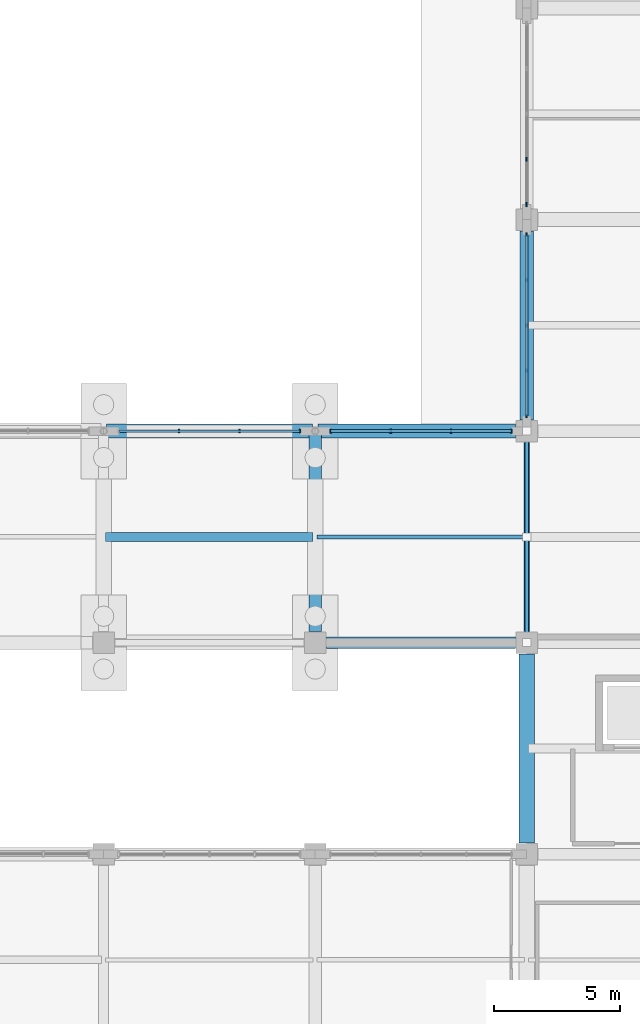
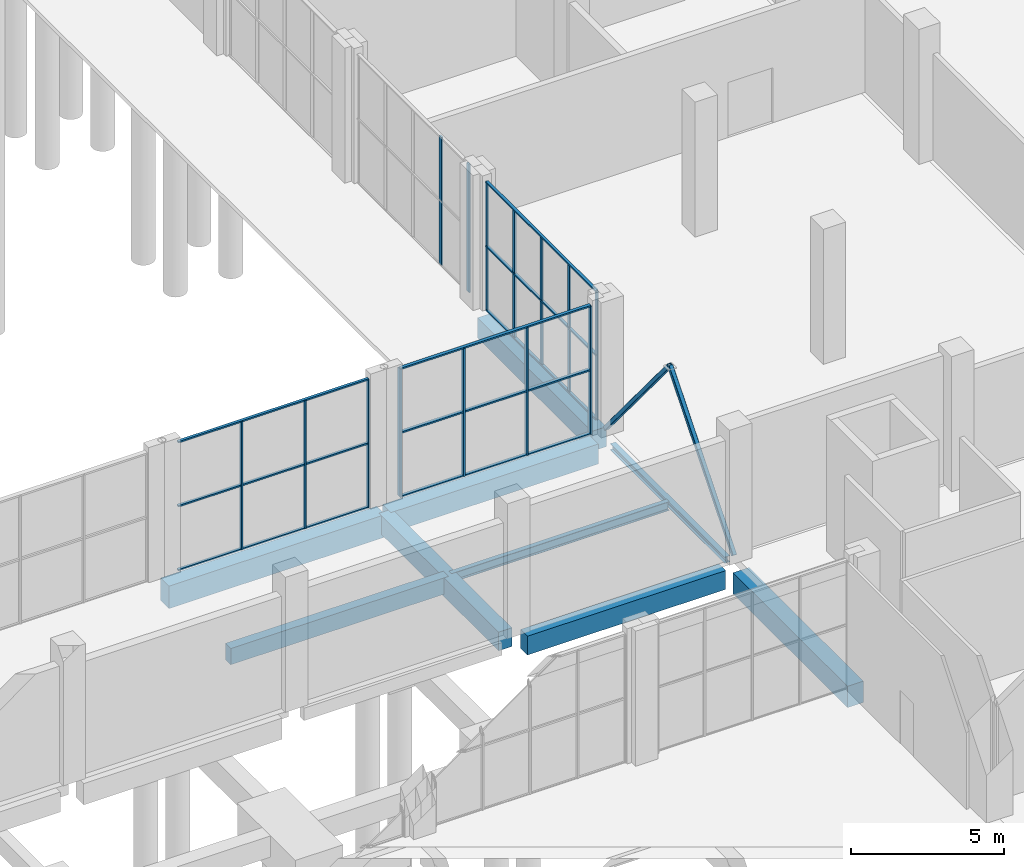
# One storey, part 37 of 82: 25 members, 9 beams, 4 elements without a shape of their own.
"""IFC4 building model written with IfcOpenShell, lengths in metres."""

from ifc_helpers import new_model, si_unit, derived_unit, direction, frame, origin, origin_2d, place, context, subcontext, project, spatial, rectangle, hollow_rectangle, i_section, extrude, material, material_profile, profile_set, type_object, element, aggregate, save


model = new_model("IFC4")

# Units and contexts
model_context = context("Model", 3, precision=1e-05, world=origin(), true_north=direction((0.0, 1.0)))
body_context = subcontext(model_context, "Body", "Model", "MODEL_VIEW")
ifc_project = project(units=[si_unit("LENGTHUNIT", "METRE"), si_unit("AREAUNIT", "SQUARE_METRE"), si_unit("VOLUMEUNIT", "CUBIC_METRE"), si_unit("PLANEANGLEUNIT", "RADIAN"), si_unit("MASSUNIT", "GRAM", prefix="KILO"), derived_unit("THERMALTRANSMITTANCEUNIT", [(si_unit("POWERUNIT", "WATT"), 1), (si_unit("LENGTHUNIT", "METRE"), -2), (si_unit("THERMODYNAMICTEMPERATUREUNIT", "KELVIN"), -1)])], contexts=[model_context])

# Site, building, storey
site_placement = place(None, origin())
site = spatial("IfcSite", under=ifc_project, at=site_placement, CompositionType="ELEMENT")
building_placement = place(site_placement, origin())
building = spatial("IfcBuilding", under=site, at=building_placement, Name="Barrovel Congress Hotel", CompositionType="ELEMENT")
storey_placement = place(building_placement, origin())
storey = spatial("IfcBuildingStorey", under=building, at=storey_placement, Name="L00", CompositionType="ELEMENT", Elevation=0.0)

# Beams
ifc_material_1 = material(Name="Concrete C40", Category="concrete")
ifc_material_profile_1 = material_profile(ifc_material_1, rectangle(XDim=0.35009765625, YDim=0.64990234375, at=origin_2d()), Name="RC350x650")
ifc_profile_set_1 = profile_set([ifc_material_profile_1], Name="Concrete C40")
beam_type_1 = type_object("IfcBeamType", Name="BM-RC350x650", PredefinedType="JOIST", material=ifc_profile_set_1)
beam_1_placement = place(storey_placement, frame((109.280029296875, 42.0, -0.64501953125), z_axis=(1.0, 0.0, 0.0), x_axis=(0.0, 1.0, 0.0)))
element("IfcBeam", 1, at=beam_1_placement, inside=storey, type_object=beam_type_1, Name="JST:L00:109.2:42.0", PredefinedType="JOIST", context=body_context, shape_type="SweptSolid", body=[
    extrude(rectangle(XDim=0.35009765625, YDim=0.64990234375, at=origin_2d()), origin(), (0.0, 0.0, 1.0), 8.239990234375),
])
ifc_material_profile_2 = material_profile(ifc_material_1, rectangle(XDim=0.449951171875, YDim=0.75, at=origin_2d()), Name="RC450x750")
ifc_profile_set_2 = profile_set([ifc_material_profile_2], Name="Concrete C40")
beam_type_2 = type_object("IfcBeamType", Name="BM-RC450x750", PredefinedType="BEAM", material=ifc_profile_set_2)
beam_2_placement = place(storey_placement, frame((118.050048828125, 37.800048828125, -0.695068359375), z_axis=(1.0, 0.0, 0.0), x_axis=(0.0, 1.0, 0.0)))
element("IfcBeam", 2, at=beam_2_placement, inside=storey, type_object=beam_type_2, Name="BMX:L00:37.8:117.6-126.0", PredefinedType="BEAM", context=body_context, shape_type="SweptSolid", body=[
    extrude(rectangle(XDim=0.449951171875, YDim=0.75, at=origin_2d()), origin(), (0.0, 0.0, 1.0), 7.5),
])
ifc_material_profile_3 = material_profile(ifc_material_1, rectangle(XDim=0.5, YDim=0.75, at=origin_2d()), Name="RC500x750")
ifc_profile_set_3 = profile_set([ifc_material_profile_3], Name="Concrete C40")
beam_type_3 = type_object("IfcBeamType", Name="BM-RC500x750", PredefinedType="BEAM", material=ifc_profile_set_3)
beam_3_placement = place(storey_placement, frame((117.60009765625, 38.25, -0.695068359375), z_axis=(0.0, 1.0, 0.0), x_axis=(-1.0, 0.0, 0.0)))
element("IfcBeam", 3, at=beam_3_placement, inside=storey, type_object=beam_type_3, Name="BMY:L00:117.6:37.8-46.2", PredefinedType="BEAM", context=body_context, shape_type="SweptSolid", body=[
    extrude(rectangle(XDim=0.5, YDim=0.75, at=origin_2d()), origin(), (0.0, 0.0, 1.0), 7.840576171875),
])
ifc_material_profile_4 = material_profile(ifc_material_1, rectangle(XDim=0.550048828125, YDim=0.800048828125, at=origin_2d()), Name="RC550x800")
ifc_profile_set_4 = profile_set([ifc_material_profile_4], Name="Concrete C40")
beam_type_4 = type_object("IfcBeamType", Name="BM-RC550x800", PredefinedType="BEAM", material=ifc_profile_set_4)
beam_4_placement = place(storey_placement, frame((117.70947265625, 46.199951171875, -0.719970703125), z_axis=(1.0, 0.0, 0.0), x_axis=(0.0, 1.0, 0.0)))
element("IfcBeam", 4, at=beam_4_placement, inside=storey, type_object=beam_type_4, Name="BMX:L00:46.2:117.6-126.0", PredefinedType="BEAM", context=body_context, shape_type="SweptSolid", body=[
    extrude(rectangle(XDim=0.550048828125, YDim=0.800048828125, at=origin_2d()), origin(), (0.0, 0.0, 1.0), 7.840576171875),
])
beam_5_placement = place(storey_placement, frame((126.0, 46.64990234375, -0.719970703125), z_axis=(0.0, 1.0, 0.0), x_axis=(-1.0, 0.0, 0.0)))
element("IfcBeam", 5, at=beam_5_placement, inside=storey, type_object=beam_type_4, Name="BMY:L00:126.0:46.2-54.6", PredefinedType="BEAM", context=body_context, shape_type="SweptSolid", body=[
    extrude(rectangle(XDim=0.550048828125, YDim=0.800048828125, at=origin_2d()), origin(), (0.0, 0.0, 1.0), 7.5),
])
ifc_material_profile_5 = material_profile(ifc_material_1, rectangle(XDim=0.550048828125, YDim=0.89990234375, at=origin_2d()), Name="RC550x900")
ifc_profile_set_5 = profile_set([ifc_material_profile_5], Name="Concrete C40")
beam_type_5 = type_object("IfcBeamType", Name="BM-RC550x900", PredefinedType="BEAM", material=ifc_profile_set_5)
beam_6_placement = place(storey_placement, frame((109.3095703125, 46.199951171875, -0.77001953125), z_axis=(1.0, 0.0, 0.0), x_axis=(0.0, 1.0, 0.0)))
element("IfcBeam", 6, at=beam_6_placement, inside=storey, type_object=beam_type_5, Name="BMX:L00:46.2:109.2-117.6", PredefinedType="BEAM", context=body_context, shape_type="SweptSolid", body=[
    extrude(rectangle(XDim=0.550048828125, YDim=0.89990234375, at=origin_2d()), origin(), (0.0, 0.0, 1.0), 8.180908203125),
])
ifc_material_profile_6 = material_profile(ifc_material_1, rectangle(XDim=0.60009765625, YDim=0.85009765625, at=origin_2d()), Name="RC600x850")
ifc_profile_set_6 = profile_set([ifc_material_profile_6], Name="Concrete C40")
beam_type_6 = type_object("IfcBeamType", Name="BM-RC600x850", PredefinedType="BEAM", material=ifc_profile_set_6)
beam_7_placement = place(storey_placement, frame((126.0, 29.85009765625, -0.7451171875), z_axis=(0.0, 1.0, 0.0), x_axis=(-1.0, 0.0, 0.0)))
element("IfcBeam", 7, at=beam_7_placement, inside=storey, type_object=beam_type_6, Name="BMY:L00:126.0:29.4-37.8", PredefinedType="BEAM", context=body_context, shape_type="SweptSolid", body=[
    extrude(rectangle(XDim=0.60009765625, YDim=0.85009765625, at=origin_2d()), origin(), (0.0, 0.0, 1.0), 7.5),
])

# Curtain wall, members
ifc_material_2 = material(Name="Anodised Aluminium Alloy 6063-T6", Category="aluminium")
curtain_wall_type_1 = type_object("IfcCurtainWallType", Name="CW-ST-7200x3600", PredefinedType="USERDEFINED", material=ifc_material_2)
curtain_wall_1_placement = place(storey_placement, origin())
curtain_wall_1 = element("IfcCurtainWall", 8, at=curtain_wall_1_placement, inside=storey, type_object=curtain_wall_type_1, Name="CW:L00:CE:46.2", ObjectType="STICK CURTAIN WALL", PredefinedType="USERDEFINED")
ifc_material_profile_7 = material_profile(ifc_material_2, rectangle(XDim=0.06005859375, YDim=0.139892578125, at=origin_2d()), Name="AL-M60x140")
ifc_profile_set_7 = profile_set([ifc_material_profile_7], Name="Anodised Aluminium Alloy 6063-T6")
member_type_1 = type_object("IfcMemberType", Name="CWM-AL-M60x140", PredefinedType="MULLION", material=ifc_profile_set_7)
member_1_placement = place(storey_placement, frame((126.0, 54.0, 0.0), z_axis=(0.0, 0.0, 1.0), x_axis=(1.0, 0.0, 0.0)))
member_1 = element("IfcMember", 9, at=member_1_placement, type_object=member_type_1, Name="CW:L00:CE:46.2:M0", PredefinedType="MULLION", context=body_context, shape_type="SweptSolid", body=[
    extrude(rectangle(XDim=0.06005859375, YDim=0.139892578125, at=origin_2d()), origin(), (0.0, 0.0, 1.0), 5.1201171875),
])
member_2_placement = place(storey_placement, frame((126.0, 52.199951171875, 0.0), z_axis=(0.0, 0.0, 1.0), x_axis=(1.0, 0.0, 0.0)))
member_2 = element("IfcMember", 10, at=member_2_placement, type_object=member_type_1, Name="CW:L00:CE:46.2:M1", PredefinedType="MULLION", context=body_context, shape_type="SweptSolid", body=[
    extrude(rectangle(XDim=0.06005859375, YDim=0.139892578125, at=origin_2d()), origin(), (0.0, 0.0, 1.0), 5.1201171875),
])
member_3_placement = place(storey_placement, frame((126.0, 50.39990234375, 0.0), z_axis=(0.0, 0.0, 1.0), x_axis=(1.0, 0.0, 0.0)))
member_3 = element("IfcMember", 11, at=member_3_placement, type_object=member_type_1, Name="CW:L00:CE:46.2:M2", PredefinedType="MULLION", context=body_context, shape_type="SweptSolid", body=[
    extrude(rectangle(XDim=0.06005859375, YDim=0.139892578125, at=origin_2d()), origin(), (0.0, 0.0, 1.0), 5.1201171875),
])
member_4_placement = place(storey_placement, frame((126.0, 48.60009765625, 0.0), z_axis=(0.0, 0.0, 1.0), x_axis=(1.0, 0.0, 0.0)))
member_4 = element("IfcMember", 12, at=member_4_placement, type_object=member_type_1, Name="CW:L00:CE:46.2:M3", PredefinedType="MULLION", context=body_context, shape_type="SweptSolid", body=[
    extrude(rectangle(XDim=0.06005859375, YDim=0.139892578125, at=origin_2d()), origin(), (0.0, 0.0, 1.0), 5.1201171875),
])
member_5_placement = place(storey_placement, frame((126.0, 46.800048828125, 0.0), z_axis=(0.0, 0.0, 1.0), x_axis=(1.0, 0.0, 0.0)))
member_5 = element("IfcMember", 13, at=member_5_placement, type_object=member_type_1, Name="CW:L00:CE:46.2:M4", PredefinedType="MULLION", context=body_context, shape_type="SweptSolid", body=[
    extrude(rectangle(XDim=0.06005859375, YDim=0.139892578125, at=origin_2d()), origin(), (0.0, 0.0, 1.0), 5.1201171875),
])

curtain_wall_type_2 = type_object("IfcCurtainWallType", Name="CW-ST-6400x4200", PredefinedType="USERDEFINED", material=ifc_material_2)
curtain_wall_2_placement = place(storey_placement, origin())
curtain_wall_2 = element("IfcCurtainWall", 14, at=curtain_wall_2_placement, inside=storey, type_object=curtain_wall_type_2, Name="CW:L00:CL:13", ObjectType="STICK CURTAIN WALL", PredefinedType="USERDEFINED")
member_6_placement = place(storey_placement, frame((117.0, 46.199951171875, 0.0), z_axis=(0.0, 0.0, 1.0), x_axis=(1.0, 0.0, 0.0)))
member_6 = element("IfcMember", 15, at=member_6_placement, type_object=member_type_1, Name="CW:L00:CL:13:M0", PredefinedType="MULLION", context=body_context, shape_type="SweptSolid", body=[
    extrude(rectangle(XDim=0.06005859375, YDim=0.139892578125, at=origin_2d()), origin(), (0.0, 0.0, 1.0), 5.1201171875),
])
member_7_placement = place(storey_placement, frame((114.60009765625, 46.199951171875, 0.0), z_axis=(0.0, 0.0, 1.0), x_axis=(1.0, 0.0, 0.0)))
member_7 = element("IfcMember", 16, at=member_7_placement, type_object=member_type_1, Name="CW:L00:CL:13:M1", PredefinedType="MULLION", context=body_context, shape_type="SweptSolid", body=[
    extrude(rectangle(XDim=0.06005859375, YDim=0.139892578125, at=origin_2d()), origin(), (0.0, 0.0, 1.0), 5.1201171875),
])
member_8_placement = place(storey_placement, frame((112.199951171875, 46.199951171875, 0.0), z_axis=(0.0, 0.0, 1.0), x_axis=(1.0, 0.0, 0.0)))
member_8 = element("IfcMember", 17, at=member_8_placement, type_object=member_type_1, Name="CW:L00:CL:13:M2", PredefinedType="MULLION", context=body_context, shape_type="SweptSolid", body=[
    extrude(rectangle(XDim=0.06005859375, YDim=0.139892578125, at=origin_2d()), origin(), (0.0, 0.0, 1.0), 5.1201171875),
])

curtain_wall_3_placement = place(storey_placement, origin())
curtain_wall_3 = element("IfcCurtainWall", 18, at=curtain_wall_3_placement, inside=storey, type_object=curtain_wall_type_1, Name="CW:L00:CE:54.6", ObjectType="STICK CURTAIN WALL", PredefinedType="USERDEFINED")
ifc_material_profile_8 = material_profile(ifc_material_2, rectangle(XDim=0.06005859375, YDim=0.1650390625, at=origin_2d()), Name="AL-M60x165")
ifc_profile_set_8 = profile_set([ifc_material_profile_8], Name="Anodised Aluminium Alloy 6063-T6")
member_type_2 = type_object("IfcMemberType", Name="CWM-AL-M60x165", PredefinedType="MULLION", material=ifc_profile_set_8)
member_9_placement = place(storey_placement, frame((126.0, 57.0, 0.0), z_axis=(0.0, 0.0, 1.0), x_axis=(1.0, 0.0, 0.0)))
member_9 = element("IfcMember", 19, at=member_9_placement, type_object=member_type_2, Name="CW:L00:CE:54.6:M3", PredefinedType="MULLION", context=body_context, shape_type="SweptSolid", body=[
    extrude(rectangle(XDim=0.06005859375, YDim=0.1650390625, at=origin_2d()), origin(), (0.0, 0.0, 1.0), 5.1201171875),
])
member_10_placement = place(storey_placement, frame((126.0, 55.199951171875, 0.0), z_axis=(0.0, 0.0, 1.0), x_axis=(1.0, 0.0, 0.0)))
member_10 = element("IfcMember", 20, at=member_10_placement, type_object=member_type_2, Name="CW:L00:CE:54.6:M4", PredefinedType="MULLION", context=body_context, shape_type="SweptSolid", body=[
    extrude(rectangle(XDim=0.06005859375, YDim=0.1650390625, at=origin_2d()), origin(), (0.0, 0.0, 1.0), 5.1201171875),
])
aggregate(curtain_wall_3, [member_9, member_10])

curtain_wall_4_placement = place(storey_placement, origin())
curtain_wall_4 = element("IfcCurtainWall", 21, at=curtain_wall_4_placement, inside=storey, type_object=curtain_wall_type_2, Name="CW:L00:CL:14", ObjectType="STICK CURTAIN WALL", PredefinedType="USERDEFINED")
member_11_placement = place(storey_placement, frame((125.39990234375, 46.199951171875, 0.0), z_axis=(0.0, 0.0, 1.0), x_axis=(1.0, 0.0, 0.0)))
member_11 = element("IfcMember", 22, at=member_11_placement, type_object=member_type_2, Name="CW:L00:CL:14:M0", PredefinedType="MULLION", context=body_context, shape_type="SweptSolid", body=[
    extrude(rectangle(XDim=0.06005859375, YDim=0.1650390625, at=origin_2d()), origin(), (0.0, 0.0, 1.0), 5.1201171875),
])
member_12_placement = place(storey_placement, frame((123.0, 46.199951171875, 0.0), z_axis=(0.0, 0.0, 1.0), x_axis=(1.0, 0.0, 0.0)))
member_12 = element("IfcMember", 23, at=member_12_placement, type_object=member_type_2, Name="CW:L00:CL:14:M1", PredefinedType="MULLION", context=body_context, shape_type="SweptSolid", body=[
    extrude(rectangle(XDim=0.06005859375, YDim=0.1650390625, at=origin_2d()), origin(), (0.0, 0.0, 1.0), 5.1201171875),
])
member_13_placement = place(storey_placement, frame((120.60009765625, 46.199951171875, 0.0), z_axis=(0.0, 0.0, 1.0), x_axis=(1.0, 0.0, 0.0)))
member_13 = element("IfcMember", 24, at=member_13_placement, type_object=member_type_2, Name="CW:L00:CL:14:M2", PredefinedType="MULLION", context=body_context, shape_type="SweptSolid", body=[
    extrude(rectangle(XDim=0.06005859375, YDim=0.1650390625, at=origin_2d()), origin(), (0.0, 0.0, 1.0), 5.1201171875),
])
member_14_placement = place(storey_placement, frame((118.199951171875, 46.199951171875, 0.0), z_axis=(0.0, 0.0, 1.0), x_axis=(1.0, 0.0, 0.0)))
member_14 = element("IfcMember", 25, at=member_14_placement, type_object=member_type_2, Name="CW:L00:CL:14:M3", PredefinedType="MULLION", context=body_context, shape_type="SweptSolid", body=[
    extrude(rectangle(XDim=0.06005859375, YDim=0.1650390625, at=origin_2d()), origin(), (0.0, 0.0, 1.0), 5.1201171875),
])

# Member
ifc_material_profile_9 = material_profile(ifc_material_2, rectangle(XDim=0.10498046875, YDim=0.06005859375, at=origin_2d()), Name="AL-T60x105")
ifc_profile_set_9 = profile_set([ifc_material_profile_9], Name="Anodised Aluminium Alloy 6063-T6")
member_type_3 = type_object("IfcMemberType", Name="CWT-AL-T60x105", PredefinedType="USERDEFINED", material=ifc_profile_set_9)
member_15_placement = place(storey_placement, frame((126.0, 54.0, 0.0), z_axis=(0.0, -1.0, 0.0), x_axis=(1.0, 0.0, 0.0)))
member_15 = element("IfcMember", 26, at=member_15_placement, type_object=member_type_3, Name="CW:L00:CE:46.2:T0", ObjectType="TRANSOM", PredefinedType="USERDEFINED", context=body_context, shape_type="SweptSolid", body=[
    extrude(rectangle(XDim=0.10498046875, YDim=0.06005859375, at=origin_2d()), origin(), (0.0, 0.0, 1.0), 7.199951171875),
])

member_16_placement = place(storey_placement, frame((126.0, 54.0, 2.56005859375), z_axis=(0.0, -1.0, 0.0), x_axis=(1.0, 0.0, 0.0)))
member_16 = element("IfcMember", 27, at=member_16_placement, type_object=member_type_3, Name="CW:L00:CE:46.2:T1", ObjectType="TRANSOM", PredefinedType="USERDEFINED", context=body_context, shape_type="SweptSolid", body=[
    extrude(rectangle(XDim=0.10498046875, YDim=0.06005859375, at=origin_2d()), origin(), (0.0, 0.0, 1.0), 7.199951171875),
])

member_17_placement = place(storey_placement, frame((126.0, 54.0, 5.1201171875), z_axis=(0.0, -1.0, 0.0), x_axis=(1.0, 0.0, 0.0)))
member_17 = element("IfcMember", 28, at=member_17_placement, type_object=member_type_3, Name="CW:L00:CE:46.2:T2", ObjectType="TRANSOM", PredefinedType="USERDEFINED", context=body_context, shape_type="SweptSolid", body=[
    extrude(rectangle(XDim=0.10498046875, YDim=0.06005859375, at=origin_2d()), origin(), (0.0, 0.0, 1.0), 7.199951171875),
])

aggregate(curtain_wall_1, [member_1, member_2, member_3, member_4, member_5, member_15, member_16, member_17])

member_18_placement = place(storey_placement, frame((117.0, 46.199951171875, 0.0), z_axis=(-1.0, 0.0, 0.0), x_axis=(0.0, -1.0, 0.0)))
member_18 = element("IfcMember", 29, at=member_18_placement, type_object=member_type_3, Name="CW:L00:CL:13:T0", ObjectType="TRANSOM", PredefinedType="USERDEFINED", context=body_context, shape_type="SweptSolid", body=[
    extrude(rectangle(XDim=0.10498046875, YDim=0.06005859375, at=origin_2d()), origin(), (0.0, 0.0, 1.0), 7.199951171875),
])

member_19_placement = place(storey_placement, frame((117.0, 46.199951171875, 2.56005859375), z_axis=(-1.0, 0.0, 0.0), x_axis=(0.0, -1.0, 0.0)))
member_19 = element("IfcMember", 30, at=member_19_placement, type_object=member_type_3, Name="CW:L00:CL:13:T1", ObjectType="TRANSOM", PredefinedType="USERDEFINED", context=body_context, shape_type="SweptSolid", body=[
    extrude(rectangle(XDim=0.10498046875, YDim=0.06005859375, at=origin_2d()), origin(), (0.0, 0.0, 1.0), 7.199951171875),
])

member_20_placement = place(storey_placement, frame((117.0, 46.199951171875, 5.1201171875), z_axis=(-1.0, 0.0, 0.0), x_axis=(0.0, -1.0, 0.0)))
member_20 = element("IfcMember", 31, at=member_20_placement, type_object=member_type_3, Name="CW:L00:CL:13:T2", ObjectType="TRANSOM", PredefinedType="USERDEFINED", context=body_context, shape_type="SweptSolid", body=[
    extrude(rectangle(XDim=0.10498046875, YDim=0.06005859375, at=origin_2d()), origin(), (0.0, 0.0, 1.0), 7.199951171875),
])

aggregate(curtain_wall_2, [member_6, member_7, member_8, member_18, member_19, member_20])

ifc_material_profile_10 = material_profile(ifc_material_2, rectangle(XDim=0.125, YDim=0.06005859375, at=origin_2d()), Name="AL-T60x125")
ifc_profile_set_10 = profile_set([ifc_material_profile_10], Name="Anodised Aluminium Alloy 6063-T6")
member_type_4 = type_object("IfcMemberType", Name="CWT-AL-T60x125", PredefinedType="USERDEFINED", material=ifc_profile_set_10)
member_21_placement = place(storey_placement, frame((125.39990234375, 46.199951171875, 0.0), z_axis=(-1.0, 0.0, 0.0), x_axis=(0.0, -1.0, 0.0)))
member_21 = element("IfcMember", 32, at=member_21_placement, type_object=member_type_4, Name="CW:L00:CL:14:T0", ObjectType="TRANSOM", PredefinedType="USERDEFINED", context=body_context, shape_type="SweptSolid", body=[
    extrude(rectangle(XDim=0.125, YDim=0.06005859375, at=origin_2d()), origin(), (0.0, 0.0, 1.0), 7.199951171875),
])

member_22_placement = place(storey_placement, frame((125.39990234375, 46.199951171875, 2.56005859375), z_axis=(-1.0, 0.0, 0.0), x_axis=(0.0, -1.0, 0.0)))
member_22 = element("IfcMember", 33, at=member_22_placement, type_object=member_type_4, Name="CW:L00:CL:14:T1", ObjectType="TRANSOM", PredefinedType="USERDEFINED", context=body_context, shape_type="SweptSolid", body=[
    extrude(rectangle(XDim=0.125, YDim=0.06005859375, at=origin_2d()), origin(), (0.0, 0.0, 1.0), 7.199951171875),
])

member_23_placement = place(storey_placement, frame((125.39990234375, 46.199951171875, 5.1201171875), z_axis=(-1.0, 0.0, 0.0), x_axis=(0.0, -1.0, 0.0)))
member_23 = element("IfcMember", 34, at=member_23_placement, type_object=member_type_4, Name="CW:L00:CL:14:T2", ObjectType="TRANSOM", PredefinedType="USERDEFINED", context=body_context, shape_type="SweptSolid", body=[
    extrude(rectangle(XDim=0.125, YDim=0.06005859375, at=origin_2d()), origin(), (0.0, 0.0, 1.0), 7.199951171875),
])

aggregate(curtain_wall_4, [member_11, member_12, member_13, member_14, member_21, member_22, member_23])

# Members
ifc_material_3 = material(Name="Steel ASTM A500 Grade C", Category="steel")
ifc_material_profile_11 = material_profile(ifc_material_3, hollow_rectangle(XDim=0.15234375, YDim=0.15234375, WallThickness=0.00732421875, InnerFilletRadius=0.00732421875, OuterFilletRadius=0.014892578125, at=origin_2d()), Name="HSS152x152x7.9")
ifc_profile_set_11 = profile_set([ifc_material_profile_11], Name="Steel ASTM A500 Grade C")
member_type_5 = type_object("IfcMemberType", Name="MEM-HSS152x152x7.9", PredefinedType="BRACE", material=ifc_profile_set_11)
for number, where, z_axis, x_axis, name in (
    (35, (126.0, 37.800048828125, 0.0), (0.0, 0.639427293174, 0.768851570034), (-1.0, 0.0, 0.0), "CBF:L00:BF3:L"),
    (36, (126.0, 46.199951171875, 0.0), (0.0, -0.639427293174, 0.768851570034), (1.0, 0.0, 0.0), "CBF:L00:BF3:R"),
):
    element("IfcMember", number, at=place(storey_placement, frame(where, z_axis=z_axis, x_axis=x_axis)), inside=storey, type_object=member_type_5, Name=name, PredefinedType="BRACE", context=body_context, shape_type="SweptSolid", body=[
        extrude(hollow_rectangle(XDim=0.15234375, YDim=0.15234375, WallThickness=0.00732421875, InnerFilletRadius=0.00732421875, OuterFilletRadius=0.014892578125, at=origin_2d()), origin(), (0.0, 0.0, 1.0), 6.568359375),
    ])

# Beams
ifc_material_4 = material(Name="Steel ASTM A992 Grade 50", Category="steel")
ifc_material_profile_12 = material_profile(ifc_material_4, i_section(OverallWidth=0.201904296875, OverallDepth=0.2470703125, WebThickness=0.00732421875, FlangeThickness=0.010986328125, FilletRadius=0.011962890625, at=origin_2d()), Name="W250x49")
ifc_profile_set_12 = profile_set([ifc_material_profile_12], Name="Steel ASTM A992 Grade 50")
beam_type_7 = type_object("IfcBeamType", Name="SBM-W250x49", PredefinedType="SPANDREL", material=ifc_profile_set_12)
beam_8_placement = place(storey_placement, frame((126.0, 38.25, -0.443603515625), z_axis=(0.0, 1.0, 0.0), x_axis=(-1.0, 0.0, 0.0)))
element("IfcBeam", 37, at=beam_8_placement, inside=storey, type_object=beam_type_7, Name="BMY:L00:126.0:37.8-46.2", PredefinedType="SPANDREL", context=body_context, shape_type="SweptSolid", body=[
    extrude(i_section(OverallWidth=0.201904296875, OverallDepth=0.2470703125, WebThickness=0.00732421875, FlangeThickness=0.010986328125, FilletRadius=0.011962890625, at=origin_2d()), origin(), (0.0, 0.0, 1.0), 7.5),
])
ifc_material_profile_13 = material_profile(ifc_material_4, i_section(OverallWidth=0.172119140625, OverallDepth=0.35791015625, WebThickness=0.0078125, FlangeThickness=0.01318359375, FilletRadius=0.011962890625, at=origin_2d()), Name="W360x57")
ifc_profile_set_13 = profile_set([ifc_material_profile_13], Name="Steel ASTM A992 Grade 50")
beam_type_8 = type_object("IfcBeamType", Name="SBM-W360x57", PredefinedType="JOIST", material=ifc_profile_set_13)
beam_9_placement = place(storey_placement, frame((117.679931640625, 42.0, -0.4990234375), z_axis=(1.0, 0.0, 0.0), x_axis=(0.0, 1.0, 0.0)))
element("IfcBeam", 38, at=beam_9_placement, inside=storey, type_object=beam_type_8, Name="JST:L00:117.6:42.0", PredefinedType="JOIST", context=body_context, shape_type="SweptSolid", body=[
    extrude(i_section(OverallWidth=0.172119140625, OverallDepth=0.35791015625, WebThickness=0.0078125, FlangeThickness=0.01318359375, FilletRadius=0.011962890625, at=origin_2d()), origin(), (0.0, 0.0, 1.0), 8.239990234375),
])

save(model, "model.ifc")
